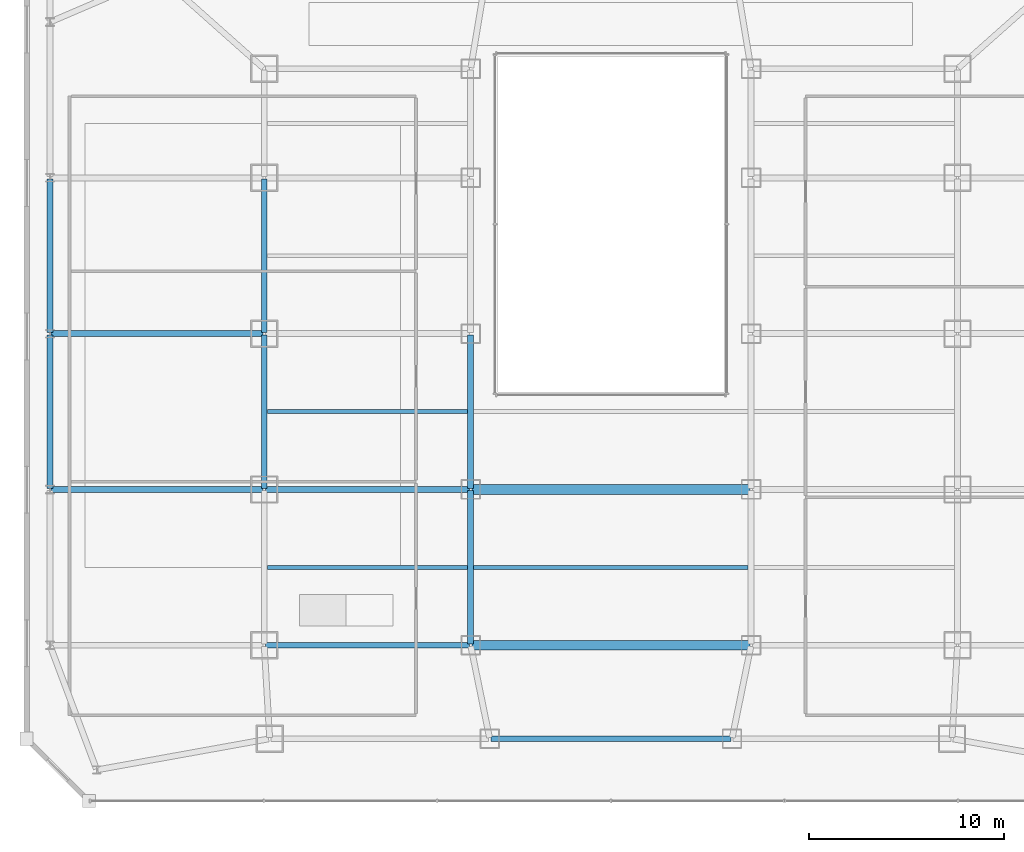
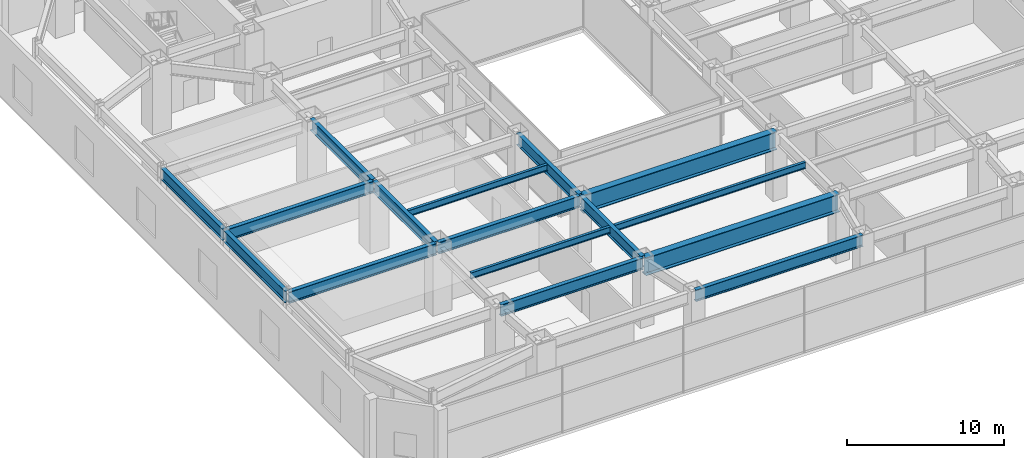
# One storey, part 11 of 53: 16 beams.
"""IFC4 building model written with IfcOpenShell, lengths in metres."""

from ifc_helpers import new_model, si_unit, direction, frame, origin, origin_2d, place, context, subcontext, project, spatial, i_section, extrude, material, material_profile, profile_set, type_object, element, save


model = new_model("IFC4")

# Units and contexts
model_context = context("Model", 3, precision=1e-05, world=origin(), true_north=direction((0.0, 1.0)))
body_context = subcontext(model_context, "Body", "Model", "MODEL_VIEW")
ifc_project = project(units=[si_unit("LENGTHUNIT", "METRE"), si_unit("AREAUNIT", "SQUARE_METRE"), si_unit("VOLUMEUNIT", "CUBIC_METRE"), si_unit("PLANEANGLEUNIT", "RADIAN"), si_unit("MASSUNIT", "GRAM", prefix="KILO")], contexts=[model_context])

# Site, building, storey
site_placement = place(None, origin())
site = spatial("IfcSite", under=ifc_project, at=site_placement, CompositionType="ELEMENT")
building_placement = place(site_placement, origin())
building = spatial("IfcBuilding", under=site, at=building_placement, Name="Saevonmaru Cultural Tower", CompositionType="ELEMENT")
storey_placement = place(building_placement, frame((0.0, 0.0, 22.199951171875)))
storey = spatial("IfcBuildingStorey", under=building, at=storey_placement, Name="L04", CompositionType="ELEMENT", Elevation=22.199951171875)

# Beams
ifc_material_1 = material(Name="Steel SM420", Category="steel")
ifc_material_profile_1 = material_profile(ifc_material_1, i_section(OverallWidth=0.300048828125, OverallDepth=0.89990234375, WebThickness=0.01611328125, FlangeThickness=0.028076171875, FilletRadius=0.028076171875, at=origin_2d()), Name="H-900x300x16x28")
ifc_profile_set_1 = profile_set([ifc_material_profile_1], Name="Steel SM420")
beam_type_1 = type_object("IfcBeamType", Name="BM-G-H900", PredefinedType="BEAM", material=ifc_profile_set_1)
for number, where, z_axis, x_axis, name in (
    (1, (12.199951171875, 16.06005859375, 4.699951171875), (0.0, 1.0, 0.0), (-1.0, 0.0, 0.0), "L04 Podium Girder NS1-3"),
    (2, (12.199951171875, 24.06005859375, 4.699951171875), (0.0, 1.0, 0.0), (-1.0, 0.0, 0.0), "L04 Podium Girder NS1-4"),
    (3, (22.800048828125, 8.06005859375, 4.699951171875), (0.0, 1.0, 0.0), (-1.0, 0.0, 0.0), "L04 Podium Girder NS2-2"),
    (4, (22.800048828125, 16.06005859375, 4.699951171875), (0.0, 1.0, 0.0), (-1.0, 0.0, 0.0), "L04 Podium Girder NS2-3"),
):
    element("IfcBeam", number, at=place(storey_placement, frame(where, z_axis=z_axis, x_axis=x_axis)), inside=storey, type_object=beam_type_1, Name=name, PredefinedType="BEAM", context=body_context, shape_type="SweptSolid", body=[
        extrude(i_section(OverallWidth=0.300048828125, OverallDepth=0.89990234375, WebThickness=0.01611328125, FlangeThickness=0.028076171875, FilletRadius=0.028076171875, at=origin_2d()), origin(), (0.0, 0.0, 1.0), 7.8798828125),
    ])
beam_1_placement = place(storey_placement, frame((23.840087890625, 3.199951171875, 4.699951171875), z_axis=(1.0, 0.0, 0.0), x_axis=(0.0, 1.0, 0.0)))
element("IfcBeam", 5, at=beam_1_placement, inside=storey, type_object=beam_type_1, Name="BM-POD-EW-C-0-L04", PredefinedType="BEAM", context=body_context, shape_type="SweptSolid", body=[
    extrude(i_section(OverallWidth=0.300048828125, OverallDepth=0.89990234375, WebThickness=0.01611328125, FlangeThickness=0.028076171875, FilletRadius=0.028076171875, at=origin_2d()), origin(), (0.0, 0.0, 1.0), 12.31982421875),
])
for number, where, z_axis, x_axis, name in (
    (6, (12.260009765625, 8.0, 4.699951171875), (1.0, 0.0, 0.0), (0.0, 1.0, 0.0), "L04 Gallery Girder W-1"),
    (7, (12.260009765625, 16.0, 4.699951171875), (1.0, 0.0, 0.0), (0.0, 1.0, 0.0), "L04 Gallery Girder W-2"),
):
    element("IfcBeam", number, at=place(storey_placement, frame(where, z_axis=z_axis, x_axis=x_axis)), inside=storey, type_object=beam_type_1, Name=name, PredefinedType="BEAM", context=body_context, shape_type="SweptSolid", body=[
        extrude(i_section(OverallWidth=0.300048828125, OverallDepth=0.89990234375, WebThickness=0.01611328125, FlangeThickness=0.028076171875, FilletRadius=0.028076171875, at=origin_2d()), origin(), (0.0, 0.0, 1.0), 10.47998046875),
    ])
for number, where, z_axis, x_axis, name in (
    (8, (1.260009765625, 16.0, 4.699951171875), (1.0, 0.0, 0.0), (0.0, 1.0, 0.0), "BM-POD-OW-2-L04"),
    (9, (1.260009765625, 24.0, 4.699951171875), (1.0, 0.0, 0.0), (0.0, 1.0, 0.0), "BM-POD-OW-3-L04"),
):
    element("IfcBeam", number, at=place(storey_placement, frame(where, z_axis=z_axis, x_axis=x_axis)), inside=storey, type_object=beam_type_1, Name=name, PredefinedType="BEAM", context=body_context, shape_type="SweptSolid", body=[
        extrude(i_section(OverallWidth=0.300048828125, OverallDepth=0.89990234375, WebThickness=0.01611328125, FlangeThickness=0.028076171875, FilletRadius=0.028076171875, at=origin_2d()), origin(), (0.0, 0.0, 1.0), 10.8798828125),
    ])
for number, where, z_axis, x_axis, name in (
    (10, (1.199951171875, 16.06005859375, 4.699951171875), (0.0, 1.0, 0.0), (-1.0, 0.0, 0.0), "BM-POD-PW-2-L04"),
    (11, (1.199951171875, 24.06005859375, 4.699951171875), (0.0, 1.0, 0.0), (-1.0, 0.0, 0.0), "BM-POD-PW-3-L04"),
):
    element("IfcBeam", number, at=place(storey_placement, frame(where, z_axis=z_axis, x_axis=x_axis)), inside=storey, type_object=beam_type_1, Name=name, PredefinedType="BEAM", context=body_context, shape_type="SweptSolid", body=[
        extrude(i_section(OverallWidth=0.300048828125, OverallDepth=0.89990234375, WebThickness=0.01611328125, FlangeThickness=0.028076171875, FilletRadius=0.028076171875, at=origin_2d()), origin(), (0.0, 0.0, 1.0), 7.8798828125),
    ])
ifc_material_2 = material(Name="Steel SM355", Category="steel")
ifc_material_profile_2 = material_profile(ifc_material_2, i_section(OverallWidth=0.199951171875, OverallDepth=0.5, WebThickness=0.010009765625, FlangeThickness=0.01611328125, FilletRadius=0.02001953125, at=origin_2d()), Name="H-500x200x10x16")
ifc_profile_set_2 = profile_set([ifc_material_profile_2], Name="Steel SM355")
beam_type_2 = type_object("IfcBeamType", Name="BM-J-H500", PredefinedType="JOIST", material=ifc_profile_set_2)
beam_2_placement = place(storey_placement, frame((12.35791015625, 12.0, 4.900146484375), z_axis=(1.0, 0.0, 0.0), x_axis=(0.0, 1.0, 0.0)))
element("IfcBeam", 12, at=beam_2_placement, inside=storey, type_object=beam_type_2, Name="L04 Secondary Floor Joist JW-1", PredefinedType="JOIST", context=body_context, shape_type="SweptSolid", body=[
    extrude(i_section(OverallWidth=0.199951171875, OverallDepth=0.5, WebThickness=0.010009765625, FlangeThickness=0.01611328125, FilletRadius=0.02001953125, at=origin_2d()), origin(), (0.0, 0.0, 1.0), 10.2841796875),
])
beam_3_placement = place(storey_placement, frame((22.9580078125, 12.0, 4.900146484375), z_axis=(1.0, 0.0, 0.0), x_axis=(0.0, 1.0, 0.0)))
element("IfcBeam", 13, at=beam_3_placement, inside=storey, type_object=beam_type_2, Name="L04 Secondary Floor Joist JC-1", PredefinedType="JOIST", context=body_context, shape_type="SweptSolid", body=[
    extrude(i_section(OverallWidth=0.199951171875, OverallDepth=0.5, WebThickness=0.010009765625, FlangeThickness=0.01611328125, FilletRadius=0.02001953125, at=origin_2d()), origin(), (0.0, 0.0, 1.0), 14.083984375),
])
beam_4_placement = place(storey_placement, frame((12.35791015625, 20.0, 4.900146484375), z_axis=(1.0, 0.0, 0.0), x_axis=(0.0, 1.0, 0.0)))
element("IfcBeam", 14, at=beam_4_placement, inside=storey, type_object=beam_type_2, Name="L04 Secondary Floor Joist JW-2", PredefinedType="JOIST", context=body_context, shape_type="SweptSolid", body=[
    extrude(i_section(OverallWidth=0.199951171875, OverallDepth=0.5, WebThickness=0.010009765625, FlangeThickness=0.01611328125, FilletRadius=0.02001953125, at=origin_2d()), origin(), (0.0, 0.0, 1.0), 10.2841796875),
])
ifc_material_3 = material(Name="Steel HSA600 (600 MPa)", Category="steel")
ifc_material_profile_3 = material_profile(ifc_material_3, i_section(OverallWidth=0.5, OverallDepth=1.39990234375, WebThickness=0.02392578125, FlangeThickness=0.044921875, at=origin_2d()), Name="PG-1400x500x24x45")
ifc_profile_set_3 = profile_set([ifc_material_profile_3], Name="Steel HSA600 (600 MPa)")
beam_type_3 = type_object("IfcBeamType", Name="BM-TG-PG1400", PredefinedType="BEAM", material=ifc_profile_set_3)
for number, where, z_axis, x_axis, name in (
    (15, (22.860107421875, 8.0, 4.449951171875), (1.0, 0.0, 0.0), (0.0, 1.0, 0.0), "L04 Long-Span Hall Girder C-1"),
    (16, (22.860107421875, 16.0, 4.449951171875), (1.0, 0.0, 0.0), (0.0, 1.0, 0.0), "L04 Long-Span Hall Girder C-2"),
):
    element("IfcBeam", number, at=place(storey_placement, frame(where, z_axis=z_axis, x_axis=x_axis)), inside=storey, type_object=beam_type_3, Name=name, PredefinedType="BEAM", context=body_context, shape_type="SweptSolid", body=[
        extrude(i_section(OverallWidth=0.5, OverallDepth=1.39990234375, WebThickness=0.02392578125, FlangeThickness=0.044921875, at=origin_2d()), origin(), (0.0, 0.0, 1.0), 14.27978515625),
    ])

save(model, "model.ifc")
